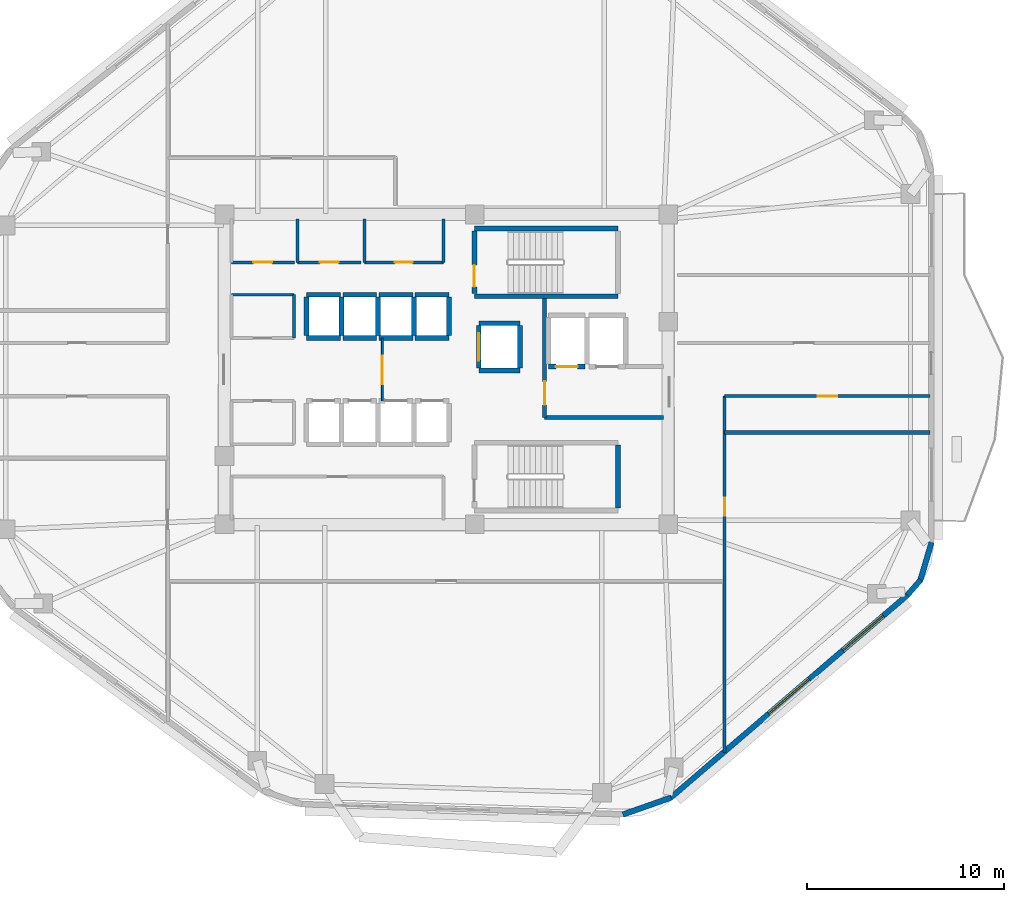
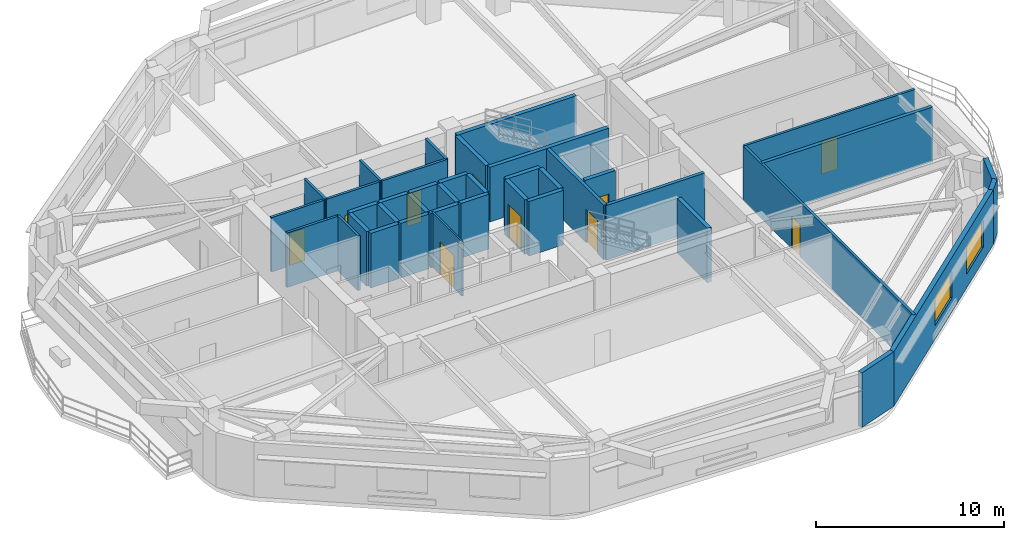
# One storey, part 4 of 8: 40 walls, 10 doors, 2 windows, 12 openings.
"""IFC4 building model written with IfcOpenShell, lengths in metres."""

from ifc_helpers import new_model, si_unit, direction, frame, frame_2d, origin, place, context, subcontext, project, spatial, rectangle, extrude, material, layer, layer_set, type_object, element, fill, save


model = new_model("IFC4")

# Units and contexts
model_context = context("Model", 3, precision=1e-05, world=origin(), true_north=direction((0.0, 1.0)))
body_context = subcontext(model_context, "Body", "Model", "MODEL_VIEW")
ifc_project = project(units=[si_unit("LENGTHUNIT", "METRE"), si_unit("AREAUNIT", "SQUARE_METRE"), si_unit("VOLUMEUNIT", "CUBIC_METRE"), si_unit("PLANEANGLEUNIT", "RADIAN"), si_unit("MASSUNIT", "GRAM", prefix="KILO")], contexts=[model_context])

# Site, building, storey
site_placement = place(None, origin())
site = spatial("IfcSite", under=ifc_project, at=site_placement, CompositionType="ELEMENT")
building_placement = place(site_placement, origin())
building = spatial("IfcBuilding", under=site, at=building_placement, Name="Zulverin Broadcast Headquarters", CompositionType="ELEMENT")
storey_placement = place(building_placement, frame((0.0, 0.0, 174.39990234375)))
storey = spatial("IfcBuildingStorey", under=building, at=storey_placement, Name="L44", CompositionType="ELEMENT", Elevation=174.39990234375)

# Wall
ifc_material_1 = material(Name="Double-stud acoustic drywall", Category="gypsum")
ifc_layer_1 = layer(ifc_material_1, 0.219970703125, Name="Double-stud acoustic drywall", Category="gypsum")
ifc_layer_set_1 = layer_set([ifc_layer_1], Name="Double-stud acoustic drywall")
wall_type_1 = type_object("IfcWallType", Name="WL-ACOU-220", PredefinedType="PARTITIONING", material=ifc_layer_set_1)
wall_1_placement = place(storey_placement, frame((51.14990234375, 22.0, 0.0), z_axis=(0.0, 0.0, 1.0), x_axis=(1.0, 0.0, 0.0)))
element("IfcWall", 1, at=wall_1_placement, inside=storey, type_object=wall_type_1, Name="L44 Room Partition Wall RP-07", PredefinedType="PARTITIONING", context=body_context, shape_type="SweptSolid", body=[
    extrude(rectangle(XDim=10.445068359375, YDim=0.219970703125, at=frame_2d((5.22265625, 0.0))), origin(), (0.0, 0.0, 1.0), 3.5400390625),
])

# Wall, openings, windows
ifc_material_2 = material(Name="Insulated pale-metal clad concrete spandrel C40/50", Category="concrete")
ifc_layer_2 = layer(ifc_material_2, 0.280029296875, Name="Insulated pale-metal clad concrete spandrel C40/50", Category="concrete")
ifc_layer_set_2 = layer_set([ifc_layer_2], Name="Insulated pale-metal clad concrete spandrel C40/50")
wall_type_2 = type_object("IfcWallType", Name="WL-EXT-280", PredefinedType="STANDARD", material=ifc_layer_set_2)
wall_2_placement = place(storey_placement, frame((48.38525390625, 3.413818359375, 0.0), z_axis=(0.0, 0.0, 1.0), x_axis=(0.759700260779, 0.650273414628, 0.0)))
wall_2 = element("IfcWall", 2, at=wall_2_placement, inside=storey, type_object=wall_type_2, Name="L44 Pale-Metal Clad Spandrel Wall 2", PredefinedType="STANDARD", context=body_context, shape_type="SweptSolid", body=[
    extrude(rectangle(XDim=15.880859375, YDim=0.280029296875, at=frame_2d((7.9404296875, 0.0))), origin(), (0.0, 0.0, 1.0), 3.5400390625),
])
opening_1_placement = place(wall_2_placement, frame((6.59033203125, 0.0, 0.89990234375)))
opening_1 = element("IfcOpeningElement", 3, at=opening_1_placement, cuts=wall_2, Name="Opening W-L44-E21", PredefinedType="OPENING", context=body_context, shape_type="SweptSolid", body=[
    extrude(rectangle(XDim=2.699951171875, YDim=1.75, at=frame_2d((1.35009765625, 0.875))), frame((0.0, 0.14990234375, 0.0), z_axis=(0.0, -1.0, 0.0), x_axis=(1.0, 0.0, 0.0)), (0.0, 0.0, 1.0), 0.300048828125),
])
opening_2_placement = place(wall_2_placement, frame((11.55078125, 0.0, 0.89990234375)))
opening_2 = element("IfcOpeningElement", 4, at=opening_2_placement, cuts=wall_2, Name="Opening W-L44-E22", PredefinedType="OPENING", context=body_context, shape_type="SweptSolid", body=[
    extrude(rectangle(XDim=2.699951171875, YDim=1.75, at=frame_2d((1.35009765625, 0.875))), frame((0.0, 0.14990234375, 0.0), z_axis=(0.0, -1.0, 0.0), x_axis=(1.0, 0.0, 0.0)), (0.0, 0.0, 1.0), 0.300048828125),
])
ifc_material_3 = material(Name="Pale anodized aluminium frame with solar-control low-E double glazing", Category="aluminium")
window_type = type_object("IfcWindowType", Name="WIN-TWR-2700", PartitioningType="SINGLE_PANEL", PredefinedType="WINDOW", material=ifc_material_3)
window_1_placement = place(opening_1_placement, origin())
window_1 = element("IfcWindow", 5, at=window_1_placement, inside=storey, type_object=window_type, Name="L44 Ribbon Glazing Window 2 1", OverallHeight=1.75, OverallWidth=2.699951171875, PartitioningType="SINGLE_PANEL", PredefinedType="WINDOW", context=body_context, shape_type="SweptSolid", body=[
    extrude(rectangle(XDim=2.699951171875, YDim=1.75, at=frame_2d((1.35009765625, 0.875))), frame((0.0, 0.030029296875, 0.0), z_axis=(0.0, -1.0, 0.0), x_axis=(1.0, 0.0, 0.0)), (0.0, 0.0, 1.0), 0.06005859375),
])
fill(opening_1, window_1)
window_2_placement = place(opening_2_placement, origin())
window_2 = element("IfcWindow", 6, at=window_2_placement, inside=storey, type_object=window_type, Name="L44 Ribbon Glazing Window 2 2", OverallHeight=1.75, OverallWidth=2.699951171875, PartitioningType="SINGLE_PANEL", PredefinedType="WINDOW", context=body_context, shape_type="SweptSolid", body=[
    extrude(rectangle(XDim=2.699951171875, YDim=1.75, at=frame_2d((1.35009765625, 0.875))), frame((0.0, 0.030029296875, 0.0), z_axis=(0.0, -1.0, 0.0), x_axis=(1.0, 0.0, 0.0)), (0.0, 0.0, 1.0), 0.06005859375),
])
fill(opening_2, window_2)

# Walls
wall_3_placement = place(storey_placement, frame((45.974609375, 2.576416015625, 0.0), z_axis=(0.0, 0.0, 1.0), x_axis=(0.943377643365, 0.331720698781, 0.0)))
element("IfcWall", 7, at=wall_3_placement, inside=storey, type_object=wall_type_2, Name="L44 Wind-Shaped Corner Spandrel Wall 1-1", PredefinedType="STANDARD", context=body_context, shape_type="SweptSolid", body=[
    extrude(rectangle(XDim=2.6025390625, YDim=0.280029296875, at=frame_2d((1.30126953125, 0.0))), origin(), (0.0, 0.0, 1.0), 3.5400390625),
])
wall_4_placement = place(storey_placement, frame((60.435791015625, 13.7265625, 0.0), z_axis=(0.0, 0.0, 1.0), x_axis=(0.658571618609, 0.752518055041, 0.0)))
element("IfcWall", 8, at=wall_4_placement, inside=storey, type_object=wall_type_2, Name="L44 Wind-Shaped Corner Spandrel Wall 2-1", PredefinedType="STANDARD", context=body_context, shape_type="SweptSolid", body=[
    extrude(rectangle(XDim=1.03173828125, YDim=0.280029296875, at=frame_2d((0.515869140625, 0.0))), origin(), (0.0, 0.0, 1.0), 3.5400390625),
])
wall_5_placement = place(storey_placement, frame((61.08642578125, 14.450439453125, 0.0), z_axis=(0.0, 0.0, 1.0), x_axis=(0.283660953453, 0.958924639107, 0.0)))
element("IfcWall", 9, at=wall_5_placement, inside=storey, type_object=wall_type_2, Name="L44 Wind-Shaped Corner Spandrel Wall 2-2", PredefinedType="STANDARD", context=body_context, shape_type="SweptSolid", body=[
    extrude(rectangle(XDim=2.04248046875, YDim=0.280029296875, at=frame_2d((1.021240234375, 0.0))), origin(), (0.0, 0.0, 1.0), 3.5400390625),
])

# Wall, opening, door
ifc_material_4 = material(Name="Concrete C40/50", Category="concrete")
ifc_layer_3 = layer(ifc_material_4, 0.199951171875, Name="Concrete C40/50", Category="concrete")
ifc_layer_set_3 = layer_set([ifc_layer_3], Name="Concrete C40/50")
wall_type_3 = type_object("IfcWallType", Name="WL-FFL-200", PredefinedType="SOLIDWALL", material=ifc_layer_set_3)
wall_6_placement = place(storey_placement, frame((42.0, 22.75, 0.0), z_axis=(0.0, 0.0, 1.0), x_axis=(0.0, 1.0, 0.0)))
wall_6 = element("IfcWall", 10, at=wall_6_placement, inside=storey, type_object=wall_type_3, Name="L44 Firefighting Lift Lobby West Wall", PredefinedType="SOLIDWALL", context=body_context, shape_type="SweptSolid", body=[
    extrude(rectangle(XDim=6.050048828125, YDim=0.199951171875, at=frame_2d((3.02490234375, 0.0))), origin(), (0.0, 0.0, 1.0), 3.5400390625),
])
opening_3_placement = place(wall_6_placement, frame((0.64990234375, 0.0, 0.0)))
opening_3 = element("IfcOpeningElement", 11, at=opening_3_placement, cuts=wall_6, Name="Opening D-L44-FFLW", PredefinedType="OPENING", context=body_context, shape_type="SweptSolid", body=[
    extrude(rectangle(XDim=1.199951171875, YDim=2.14990234375, at=frame_2d((0.60009765625, 1.074951171875))), frame((0.0, 0.10986328125, 0.0), z_axis=(0.0, -1.0, 0.0), x_axis=(1.0, 0.0, 0.0)), (0.0, 0.0, 1.0), 0.219970703125),
])
ifc_material_5 = material(Name="Fire-rated steel leaf and frame", Category="steel")
door_type_1 = type_object("IfcDoorType", Name="DR-FFL-1200", OperationType="SINGLE_SWING_RIGHT", PredefinedType="DOOR", material=ifc_material_5)
door_1_placement = place(opening_3_placement, origin())
door_1 = element("IfcDoor", 12, at=door_1_placement, inside=storey, type_object=door_type_1, Name="L44 Firefighting Lift Lobby Door", OperationType="SINGLE_SWING_RIGHT", OverallHeight=2.14990234375, OverallWidth=1.199951171875, PredefinedType="DOOR", context=body_context, shape_type="SweptSolid", body=[
    extrude(rectangle(XDim=1.199951171875, YDim=2.14990234375, at=frame_2d((0.60009765625, 1.074951171875))), frame((0.0, 0.02490234375, 0.0), z_axis=(0.0, -1.0, 0.0), x_axis=(1.0, 0.0, 0.0)), (0.0, 0.0, 1.0), 0.050048828125),
])
fill(opening_3, door_1)

# Wall
wall_7_placement = place(storey_placement, frame((42.0, 22.75, 0.0), z_axis=(0.0, 0.0, 1.0), x_axis=(1.0, 0.0, 0.0)))
element("IfcWall", 13, at=wall_7_placement, inside=storey, type_object=wall_type_3, Name="L44 Firefighting Lift Lobby South Wall", PredefinedType="SOLIDWALL", context=body_context, shape_type="SweptSolid", body=[
    extrude(rectangle(XDim=6.050048828125, YDim=0.199951171875, at=frame_2d((3.02490234375, 0.0))), origin(), (0.0, 0.0, 1.0), 3.5400390625),
])

# Wall, opening, door
ifc_material_6 = material(Name="Fire-rated acoustic laminated glass screen", Category="glass")
ifc_layer_4 = layer(ifc_material_6, 0.10009765625, Name="Fire-rated acoustic laminated glass screen", Category="glass")
ifc_layer_set_4 = layer_set([ifc_layer_4], Name="Fire-rated acoustic laminated glass screen")
wall_type_4 = type_object("IfcWallType", Name="WL-GLAZ-100", PredefinedType="PARTITIONING", material=ifc_layer_set_4)
wall_8_placement = place(storey_placement, frame((33.75, 23.60009765625, 0.0), z_axis=(0.0, 0.0, 1.0), x_axis=(0.0, 1.0, 0.0)))
wall_8 = element("IfcWall", 14, at=wall_8_placement, inside=storey, type_object=wall_type_4, Name="L44 Core Lobby Acoustic Screen", PredefinedType="PARTITIONING", context=body_context, shape_type="SweptSolid", body=[
    extrude(rectangle(XDim=3.199951171875, YDim=0.10009765625, at=frame_2d((1.60009765625, 0.0))), origin(), (0.0, 0.0, 1.0), 3.5400390625),
])
opening_4_placement = place(wall_8_placement, frame((0.85009765625, 0.0, 0.0)))
opening_4 = element("IfcOpeningElement", 15, at=opening_4_placement, cuts=wall_8, Name="Opening D-L44-CL1", PredefinedType="OPENING", context=body_context, shape_type="SweptSolid", body=[
    extrude(rectangle(XDim=1.449951171875, YDim=2.1201171875, at=frame_2d((0.72509765625, 1.06005859375))), frame((0.0, 0.06005859375, 0.0), z_axis=(0.0, -1.0, 0.0), x_axis=(1.0, 0.0, 0.0)), (0.0, 0.0, 1.0), 0.1201171875),
])
ifc_material_7 = material(Name="Fire-rated acoustic glazed double leaf", Category="glass")
door_type_2 = type_object("IfcDoorType", Name="DR-GLZ-1450", OperationType="DOUBLE_DOOR_SINGLE_SWING", PredefinedType="DOOR", material=ifc_material_7)
door_2_placement = place(opening_4_placement, origin())
door_2 = element("IfcDoor", 16, at=door_2_placement, inside=storey, type_object=door_type_2, Name="L44 Core Lobby Vestibule Door", OperationType="DOUBLE_DOOR_SINGLE_SWING", OverallHeight=2.1201171875, OverallWidth=1.449951171875, PredefinedType="DOOR", context=body_context, shape_type="SweptSolid", body=[
    extrude(rectangle(XDim=1.449951171875, YDim=2.1201171875, at=frame_2d((0.72509765625, 1.06005859375))), frame((0.0, 0.02490234375, 0.0), z_axis=(0.0, -1.0, 0.0), x_axis=(1.0, 0.0, 0.0)), (0.0, 0.0, 1.0), 0.050048828125),
])
fill(opening_4, door_2)

ifc_material_8 = material(Name="Fire-rated gypsum stud partition", Category="gypsum")
ifc_layer_5 = layer(ifc_material_8, 0.14990234375, Name="Fire-rated gypsum stud partition", Category="gypsum")
ifc_layer_set_5 = layer_set([ifc_layer_5], Name="Fire-rated gypsum stud partition")
wall_type_5 = type_object("IfcWallType", Name="WL-PART-150", PredefinedType="PARTITIONING", material=ifc_layer_set_5)
wall_9_placement = place(storey_placement, frame((26.070068359375, 30.64990234375, 0.0), z_axis=(0.0, 0.0, 1.0), x_axis=(1.0, 0.0, 0.0)))
wall_9 = element("IfcWall", 17, at=wall_9_placement, inside=storey, type_object=wall_type_5, Name="L44 Core Accessible WC Front Wall", PredefinedType="PARTITIONING", context=body_context, shape_type="SweptSolid", body=[
    extrude(rectangle(XDim=3.199951171875, YDim=0.14990234375, at=frame_2d((1.60009765625, 0.0))), origin(), (0.0, 0.0, 1.0), 3.5400390625),
])
opening_5_placement = place(wall_9_placement, frame((1.125, 0.0, 0.0)))
opening_5 = element("IfcOpeningElement", 18, at=opening_5_placement, cuts=wall_9, Name="Opening D-L44-NC1", PredefinedType="OPENING", context=body_context, shape_type="SweptSolid", body=[
    extrude(rectangle(XDim=0.949951171875, YDim=2.10009765625, at=frame_2d((0.47509765625, 1.050048828125))), frame((0.0, 0.0849609375, 0.0), z_axis=(0.0, -1.0, 0.0), x_axis=(1.0, 0.0, 0.0)), (0.0, 0.0, 1.0), 0.169921875),
])
ifc_material_9 = material(Name="Fire-rated moisture-resistant laminate leaf", Category="wood")
door_type_3 = type_object("IfcDoorType", Name="DR-WC-950", OperationType="SINGLE_SWING_LEFT", PredefinedType="DOOR", material=ifc_material_9)
door_3_placement = place(opening_5_placement, origin())
door_3 = element("IfcDoor", 19, at=door_3_placement, inside=storey, type_object=door_type_3, Name="L44 Accessible WC Door", OperationType="SINGLE_SWING_LEFT", OverallHeight=2.10009765625, OverallWidth=0.949951171875, PredefinedType="DOOR", context=body_context, shape_type="SweptSolid", body=[
    extrude(rectangle(XDim=0.949951171875, YDim=2.10009765625, at=frame_2d((0.47509765625, 1.050048828125))), frame((0.0, 0.02490234375, 0.0), z_axis=(0.0, -1.0, 0.0), x_axis=(1.0, 0.0, 0.0)), (0.0, 0.0, 1.0), 0.050048828125),
])
fill(opening_5, door_3)

wall_10_placement = place(storey_placement, frame((29.429931640625, 30.64990234375, 0.0), z_axis=(0.0, 0.0, 1.0), x_axis=(1.0, 0.0, 0.0)))
wall_10 = element("IfcWall", 20, at=wall_10_placement, inside=storey, type_object=wall_type_5, Name="L44 Core Male WC Front Wall", PredefinedType="PARTITIONING", context=body_context, shape_type="SweptSolid", body=[
    extrude(rectangle(XDim=3.239990234375, YDim=0.14990234375, at=frame_2d((1.6201171875, 0.0))), origin(), (0.0, 0.0, 1.0), 3.5400390625),
])
opening_6_placement = place(wall_10_placement, frame((1.14501953125, 0.0, 0.0)))
opening_6 = element("IfcOpeningElement", 21, at=opening_6_placement, cuts=wall_10, Name="Opening D-L44-NC2", PredefinedType="OPENING", context=body_context, shape_type="SweptSolid", body=[
    extrude(rectangle(XDim=0.949951171875, YDim=2.10009765625, at=frame_2d((0.47509765625, 1.050048828125))), frame((0.0, 0.0849609375, 0.0), z_axis=(0.0, -1.0, 0.0), x_axis=(1.0, 0.0, 0.0)), (0.0, 0.0, 1.0), 0.169921875),
])
door_4_placement = place(opening_6_placement, origin())
door_4 = element("IfcDoor", 22, at=door_4_placement, inside=storey, type_object=door_type_3, Name="L44 Male WC Door", OperationType="SINGLE_SWING_RIGHT", OverallHeight=2.10009765625, OverallWidth=0.949951171875, PredefinedType="DOOR", context=body_context, shape_type="SweptSolid", body=[
    extrude(rectangle(XDim=0.949951171875, YDim=2.10009765625, at=frame_2d((0.47509765625, 1.050048828125))), frame((0.0, 0.02490234375, 0.0), z_axis=(0.0, -1.0, 0.0), x_axis=(1.0, 0.0, 0.0)), (0.0, 0.0, 1.0), 0.050048828125),
])
fill(opening_6, door_4)

# Wall
wall_11_placement = place(storey_placement, frame((29.429931640625, 30.64990234375, 0.0), z_axis=(0.0, 0.0, 1.0), x_axis=(0.0, 1.0, 0.0)))
element("IfcWall", 23, at=wall_11_placement, inside=storey, type_object=wall_type_5, Name="L44 Core Male WC West Wall", PredefinedType="PARTITIONING", context=body_context, shape_type="SweptSolid", body=[
    extrude(rectangle(XDim=2.2001953125, YDim=0.14990234375, at=frame_2d((1.10009765625, 0.0))), origin(), (0.0, 0.0, 1.0), 3.5400390625),
])

# Wall, opening, door
wall_12_placement = place(storey_placement, frame((32.830078125, 30.64990234375, 0.0), z_axis=(0.0, 0.0, 1.0), x_axis=(1.0, 0.0, 0.0)))
wall_12 = element("IfcWall", 24, at=wall_12_placement, inside=storey, type_object=wall_type_5, Name="L44 Core Electrical Switch Riser Front Wall", PredefinedType="PARTITIONING", context=body_context, shape_type="SweptSolid", body=[
    extrude(rectangle(XDim=4.02001953125, YDim=0.14990234375, at=frame_2d((2.010009765625, 0.0))), origin(), (0.0, 0.0, 1.0), 3.5400390625),
])
opening_7_placement = place(wall_12_placement, frame((1.56005859375, 0.0, 0.0)))
opening_7 = element("IfcOpeningElement", 25, at=opening_7_placement, cuts=wall_12, Name="Opening D-L44-NC3", PredefinedType="OPENING", context=body_context, shape_type="SweptSolid", body=[
    extrude(rectangle(XDim=0.89990234375, YDim=2.10009765625, at=frame_2d((0.449951171875, 1.050048828125))), frame((0.0, 0.0849609375, 0.0), z_axis=(0.0, -1.0, 0.0), x_axis=(1.0, 0.0, 0.0)), (0.0, 0.0, 1.0), 0.169921875),
])
ifc_material_10 = material(Name="Powder-coated steel access leaf", Category="steel")
door_type_4 = type_object("IfcDoorType", Name="DR-RISER-900", OperationType="SINGLE_SWING_LEFT", PredefinedType="DOOR", material=ifc_material_10)
door_5_placement = place(opening_7_placement, origin())
door_5 = element("IfcDoor", 26, at=door_5_placement, inside=storey, type_object=door_type_4, Name="L44 Electrical Switch Riser Door", OperationType="SINGLE_SWING_LEFT", OverallHeight=2.10009765625, OverallWidth=0.89990234375, PredefinedType="DOOR", context=body_context, shape_type="SweptSolid", body=[
    extrude(rectangle(XDim=0.89990234375, YDim=2.10009765625, at=frame_2d((0.449951171875, 1.050048828125))), frame((0.0, 0.02490234375, 0.0), z_axis=(0.0, -1.0, 0.0), x_axis=(1.0, 0.0, 0.0)), (0.0, 0.0, 1.0), 0.050048828125),
])
fill(opening_7, door_5)

# Walls
for number, where, z_axis, x_axis, name in (
    (27, (32.830078125, 30.64990234375, 0.0), (0.0, 0.0, 1.0), (0.0, 1.0, 0.0), "L44 Core Electrical Switch Riser West Wall"),
    (28, (36.85009765625, 30.64990234375, 0.0), (0.0, 0.0, 1.0), (0.0, 1.0, 0.0), "L44 Core Electrical Switch Riser East Wall"),
):
    element("IfcWall", number, at=place(storey_placement, frame(where, z_axis=z_axis, x_axis=x_axis)), inside=storey, type_object=wall_type_5, Name=name, PredefinedType="PARTITIONING", context=body_context, shape_type="SweptSolid", body=[
        extrude(rectangle(XDim=2.2001953125, YDim=0.14990234375, at=frame_2d((1.10009765625, 0.0))), origin(), (0.0, 0.0, 1.0), 3.5400390625),
    ])
wall_13_placement = place(storey_placement, frame((26.070068359375, 29.0, 0.0), z_axis=(0.0, 0.0, 1.0), x_axis=(1.0, 0.0, 0.0)))
element("IfcWall", 29, at=wall_13_placement, inside=storey, type_object=wall_type_5, Name="L44 Core UPS Battery Store N Wall", PredefinedType="PARTITIONING", context=body_context, shape_type="SweptSolid", body=[
    extrude(rectangle(XDim=3.179931640625, YDim=0.14990234375, at=frame_2d((1.58984375, 0.0))), origin(), (0.0, 0.0, 1.0), 3.5400390625),
])
wall_14_placement = place(storey_placement, frame((29.25, 26.800048828125, 0.0), z_axis=(0.0, 0.0, 1.0), x_axis=(0.0, 1.0, 0.0)))
element("IfcWall", 30, at=wall_14_placement, inside=storey, type_object=wall_type_5, Name="L44 Core UPS Battery Store E Wall", PredefinedType="PARTITIONING", context=body_context, shape_type="SweptSolid", body=[
    extrude(rectangle(XDim=2.199951171875, YDim=0.14990234375, at=frame_2d((1.10009765625, 0.0))), origin(), (0.0, 0.0, 1.0), 3.5400390625),
])

# Wall, opening, door
wall_15_placement = place(storey_placement, frame((51.14990234375, 5.736083984375, 0.0), z_axis=(0.0, 0.0, 1.0), x_axis=(0.0, 1.0, 0.0)))
wall_15 = element("IfcWall", 31, at=wall_15_placement, inside=storey, type_object=wall_type_5, Name="L44 Gallery Partition Wall CG-01", PredefinedType="PARTITIONING", context=body_context, shape_type="SweptSolid", body=[
    extrude(rectangle(XDim=18.114013671875, YDim=0.14990234375, at=frame_2d((9.05712890625, 0.0))), origin(), (0.0, 0.0, 1.0), 3.5400390625),
])
opening_8_placement = place(wall_15_placement, frame((12.038818359375, 0.0, 0.0)))
opening_8 = element("IfcOpeningElement", 32, at=opening_8_placement, cuts=wall_15, Name="Opening D-L44-07", PredefinedType="OPENING", context=body_context, shape_type="SweptSolid", body=[
    extrude(rectangle(XDim=0.89990234375, YDim=2.10009765625, at=frame_2d((0.449951171875, 1.050048828125))), frame((0.0, 0.0849609375, 0.0), z_axis=(0.0, -1.0, 0.0), x_axis=(1.0, 0.0, 0.0)), (0.0, 0.0, 1.0), 0.169921875),
])
ifc_material_11 = material(Name="Fire-rated hardwood veneer timber leaf", Category="wood")
door_type_5 = type_object("IfcDoorType", Name="DR-ROOM-900", OperationType="SINGLE_SWING_RIGHT", PredefinedType="DOOR", material=ifc_material_11)
door_6_placement = place(opening_8_placement, origin())
door_6 = element("IfcDoor", 33, at=door_6_placement, inside=storey, type_object=door_type_5, Name="L44 Visitor Reception Door", OperationType="SINGLE_SWING_RIGHT", OverallHeight=2.10009765625, OverallWidth=0.89990234375, PredefinedType="DOOR", context=body_context, shape_type="SweptSolid", body=[
    extrude(rectangle(XDim=0.89990234375, YDim=2.10009765625, at=frame_2d((0.449951171875, 1.050048828125))), frame((0.0, 0.02490234375, 0.0), z_axis=(0.0, -1.0, 0.0), x_axis=(1.0, 0.0, 0.0)), (0.0, 0.0, 1.0), 0.050048828125),
])
fill(opening_8, door_6)

wall_16_placement = place(storey_placement, frame((51.14990234375, 23.85009765625, 0.0), z_axis=(0.0, 0.0, 1.0), x_axis=(1.0, 0.0, 0.0)))
wall_16 = element("IfcWall", 34, at=wall_16_placement, inside=storey, type_object=wall_type_5, Name="L44 Gallery Partition Wall CG-09", PredefinedType="PARTITIONING", context=body_context, shape_type="SweptSolid", body=[
    extrude(rectangle(XDim=10.445068359375, YDim=0.14990234375, at=frame_2d((5.22265625, 0.0))), origin(), (0.0, 0.0, 1.0), 3.5400390625),
])
opening_9_placement = place(wall_16_placement, frame((4.722412109375, 0.0, 0.0)))
opening_9 = element("IfcOpeningElement", 35, at=opening_9_placement, cuts=wall_16, Name="Opening D-L44-08", PredefinedType="OPENING", context=body_context, shape_type="SweptSolid", body=[
    extrude(rectangle(XDim=1.0, YDim=2.1201171875, at=frame_2d((0.5, 1.06005859375))), frame((0.0, 0.0849609375, 0.0), z_axis=(0.0, -1.0, 0.0), x_axis=(1.0, 0.0, 0.0)), (0.0, 0.0, 1.0), 0.169921875),
])
ifc_material_12 = material(Name="Hardwood veneer acoustic leaf", Category="wood")
door_type_6 = type_object("IfcDoorType", Name="DR-OFF-1000", OperationType="SINGLE_SWING_LEFT", PredefinedType="DOOR", material=ifc_material_12)
door_7_placement = place(opening_9_placement, origin())
door_7 = element("IfcDoor", 36, at=door_7_placement, inside=storey, type_object=door_type_6, Name="L44 Current Affairs Open Workplace Door", OperationType="SINGLE_SWING_LEFT", OverallHeight=2.1201171875, OverallWidth=1.0, PredefinedType="DOOR", context=body_context, shape_type="SweptSolid", body=[
    extrude(rectangle(XDim=1.0, YDim=2.1201171875, at=frame_2d((0.5, 1.06005859375))), frame((0.0, 0.02490234375, 0.0), z_axis=(0.0, -1.0, 0.0), x_axis=(1.0, 0.0, 0.0)), (0.0, 0.0, 1.0), 0.050048828125),
])
fill(opening_9, door_7)

# Walls
ifc_material_13 = material(Name="Concrete C50/60", Category="concrete")
ifc_layer_6 = layer(ifc_material_13, 0.25, Name="Concrete C50/60", Category="concrete")
ifc_layer_set_6 = layer_set([ifc_layer_6], Name="Concrete C50/60")
wall_type_6 = type_object("IfcWallType", Name="WL-SHAFT-250", PredefinedType="SHEAR", material=ifc_layer_set_6)
for number, where, z_axis, x_axis, name in (
    (37, (38.425048828125, 28.925048828125, 0.0), (0.0, 0.0, 1.0), (1.0, 0.0, 0.0), "L44 ST-1 Enclosure Wall S"),
    (38, (38.425048828125, 32.375, 0.0), (0.0, 0.0, 1.0), (1.0, 0.0, 0.0), "L44 ST-1 Enclosure Wall N"),
):
    element("IfcWall", number, at=place(storey_placement, frame(where, z_axis=z_axis, x_axis=x_axis)), inside=storey, type_object=wall_type_6, Name=name, PredefinedType="SHEAR", context=body_context, shape_type="SweptSolid", body=[
        extrude(rectangle(XDim=7.300048828125, YDim=0.25, at=frame_2d((3.64990234375, 0.0))), origin(), (0.0, 0.0, 1.0), 3.5400390625),
    ])

# Wall, opening, door
wall_17_placement = place(storey_placement, frame((38.425048828125, 29.050048828125, 0.0), z_axis=(0.0, 0.0, 1.0), x_axis=(0.0, 1.0, 0.0)))
wall_17 = element("IfcWall", 39, at=wall_17_placement, inside=storey, type_object=wall_type_6, Name="L44 ST-1 Enclosure Wall W", PredefinedType="SHEAR", context=body_context, shape_type="SweptSolid", body=[
    extrude(rectangle(XDim=3.199951171875, YDim=0.25, at=frame_2d((1.60009765625, 0.0))), origin(), (0.0, 0.0, 1.0), 3.5400390625),
])
opening_10_placement = place(wall_17_placement, frame((0.35009765625, 0.0, 0.0)))
opening_10 = element("IfcOpeningElement", 40, at=opening_10_placement, cuts=wall_17, Name="Opening D-L44-ST-1", PredefinedType="OPENING", context=body_context, shape_type="SweptSolid", body=[
    extrude(rectangle(XDim=1.10009765625, YDim=2.14990234375, at=frame_2d((0.550048828125, 1.074951171875))), frame((0.0, 0.135009765625, 0.0), z_axis=(0.0, -1.0, 0.0), x_axis=(1.0, 0.0, 0.0)), (0.0, 0.0, 1.0), 0.27001953125),
])
door_type_7 = type_object("IfcDoorType", Name="DR-STAIR-1100", OperationType="SINGLE_SWING_LEFT", PredefinedType="DOOR", material=ifc_material_5)
door_8_placement = place(opening_10_placement, origin())
door_8 = element("IfcDoor", 41, at=door_8_placement, inside=storey, type_object=door_type_7, Name="L44 Exit Stair ST-1 Fire Door", OperationType="SINGLE_SWING_LEFT", OverallHeight=2.14990234375, OverallWidth=1.10009765625, PredefinedType="DOOR", context=body_context, shape_type="SweptSolid", body=[
    extrude(rectangle(XDim=1.10009765625, YDim=2.14990234375, at=frame_2d((0.550048828125, 1.074951171875))), frame((0.0, 0.02490234375, 0.0), z_axis=(0.0, -1.0, 0.0), x_axis=(1.0, 0.0, 0.0)), (0.0, 0.0, 1.0), 0.050048828125),
])
fill(opening_10, door_8)

# Walls
wall_18_placement = place(storey_placement, frame((45.72509765625, 18.14990234375, 0.0), z_axis=(0.0, 0.0, 1.0), x_axis=(0.0, 1.0, 0.0)))
element("IfcWall", 42, at=wall_18_placement, inside=storey, type_object=wall_type_6, Name="L44 ST-2 Enclosure Wall E", PredefinedType="SHEAR", context=body_context, shape_type="SweptSolid", body=[
    extrude(rectangle(XDim=3.2001953125, YDim=0.25, at=frame_2d((1.60009765625, 0.0))), origin(), (0.0, 0.0, 1.0), 3.5400390625),
])
for number, where, z_axis, x_axis, name in (
    (43, (29.89990234375, 26.800048828125, 0.0), (0.0, 0.0, 1.0), (1.0, 0.0, 0.0), "L44 Lift PL-H1 Shaft Wall S"),
    (44, (29.89990234375, 29.0, 0.0), (0.0, 0.0, 1.0), (1.0, 0.0, 0.0), "L44 Lift PL-H1 Shaft Wall N"),
):
    element("IfcWall", number, at=place(storey_placement, frame(where, z_axis=z_axis, x_axis=x_axis)), inside=storey, type_object=wall_type_6, Name=name, PredefinedType="SHEAR", context=body_context, shape_type="SweptSolid", body=[
        extrude(rectangle(XDim=1.72021484375, YDim=0.25, at=frame_2d((0.860107421875, 0.0))), origin(), (0.0, 0.0, 1.0), 3.5400390625),
    ])
for number, where, z_axis, x_axis, name in (
    (45, (29.89990234375, 26.919921875, 0.0), (0.0, 0.0, 1.0), (0.0, 1.0, 0.0), "L44 Lift PL-H1 Shaft Wall W"),
    (46, (31.679931640625, 26.919921875, 0.0), (0.0, 0.0, 1.0), (0.0, 1.0, 0.0), "L44 Lift PL-H1 Shaft Wall E"),
):
    element("IfcWall", number, at=place(storey_placement, frame(where, z_axis=z_axis, x_axis=x_axis)), inside=storey, type_object=wall_type_6, Name=name, PredefinedType="SHEAR", context=body_context, shape_type="SweptSolid", body=[
        extrude(rectangle(XDim=1.9599609375, YDim=0.25, at=frame_2d((0.97998046875, 0.0))), origin(), (0.0, 0.0, 1.0), 3.5400390625),
    ])
for number, where, z_axis, x_axis, name in (
    (47, (31.739990234375, 26.800048828125, 0.0), (0.0, 0.0, 1.0), (1.0, 0.0, 0.0), "L44 Lift PL-H2 Shaft Wall S"),
    (48, (31.739990234375, 29.0, 0.0), (0.0, 0.0, 1.0), (1.0, 0.0, 0.0), "L44 Lift PL-H2 Shaft Wall N"),
):
    element("IfcWall", number, at=place(storey_placement, frame(where, z_axis=z_axis, x_axis=x_axis)), inside=storey, type_object=wall_type_6, Name=name, PredefinedType="SHEAR", context=body_context, shape_type="SweptSolid", body=[
        extrude(rectangle(XDim=1.719970703125, YDim=0.25, at=frame_2d((0.85986328125, 0.0))), origin(), (0.0, 0.0, 1.0), 3.5400390625),
    ])
wall_19_placement = place(storey_placement, frame((33.52001953125, 26.919921875, 0.0), z_axis=(0.0, 0.0, 1.0), x_axis=(0.0, 1.0, 0.0)))
element("IfcWall", 49, at=wall_19_placement, inside=storey, type_object=wall_type_6, Name="L44 Lift PL-H2 Shaft Wall E", PredefinedType="SHEAR", context=body_context, shape_type="SweptSolid", body=[
    extrude(rectangle(XDim=1.9599609375, YDim=0.25, at=frame_2d((0.97998046875, 0.0))), origin(), (0.0, 0.0, 1.0), 3.5400390625),
])
for number, where, z_axis, x_axis, name in (
    (50, (33.580078125, 26.800048828125, 0.0), (0.0, 0.0, 1.0), (1.0, 0.0, 0.0), "L44 Lift PL-H3 Shaft Wall S"),
    (51, (33.580078125, 29.0, 0.0), (0.0, 0.0, 1.0), (1.0, 0.0, 0.0), "L44 Lift PL-H3 Shaft Wall N"),
):
    element("IfcWall", number, at=place(storey_placement, frame(where, z_axis=z_axis, x_axis=x_axis)), inside=storey, type_object=wall_type_6, Name=name, PredefinedType="SHEAR", context=body_context, shape_type="SweptSolid", body=[
        extrude(rectangle(XDim=1.719970703125, YDim=0.25, at=frame_2d((0.85986328125, 0.0))), origin(), (0.0, 0.0, 1.0), 3.5400390625),
    ])
wall_20_placement = place(storey_placement, frame((35.360107421875, 26.919921875, 0.0), z_axis=(0.0, 0.0, 1.0), x_axis=(0.0, 1.0, 0.0)))
element("IfcWall", 52, at=wall_20_placement, inside=storey, type_object=wall_type_6, Name="L44 Lift PL-H3 Shaft Wall E", PredefinedType="SHEAR", context=body_context, shape_type="SweptSolid", body=[
    extrude(rectangle(XDim=1.9599609375, YDim=0.25, at=frame_2d((0.97998046875, 0.0))), origin(), (0.0, 0.0, 1.0), 3.5400390625),
])
for number, where, z_axis, x_axis, name in (
    (53, (35.419921875, 26.800048828125, 0.0), (0.0, 0.0, 1.0), (1.0, 0.0, 0.0), "L44 Lift PL-H4 Shaft Wall S"),
    (54, (35.419921875, 29.0, 0.0), (0.0, 0.0, 1.0), (1.0, 0.0, 0.0), "L44 Lift PL-H4 Shaft Wall N"),
):
    element("IfcWall", number, at=place(storey_placement, frame(where, z_axis=z_axis, x_axis=x_axis)), inside=storey, type_object=wall_type_6, Name=name, PredefinedType="SHEAR", context=body_context, shape_type="SweptSolid", body=[
        extrude(rectangle(XDim=1.719970703125, YDim=0.25, at=frame_2d((0.85986328125, 0.0))), origin(), (0.0, 0.0, 1.0), 3.5400390625),
    ])
wall_21_placement = place(storey_placement, frame((37.139892578125, 26.919921875, 0.0), z_axis=(0.0, 0.0, 1.0), x_axis=(0.0, 1.0, 0.0)))
element("IfcWall", 55, at=wall_21_placement, inside=storey, type_object=wall_type_6, Name="L44 Lift PL-H4 Shaft Wall E", PredefinedType="SHEAR", context=body_context, shape_type="SweptSolid", body=[
    extrude(rectangle(XDim=1.9599609375, YDim=0.25, at=frame_2d((0.97998046875, 0.0))), origin(), (0.0, 0.0, 1.0), 3.5400390625),
])

# Wall, opening, door
wall_22_placement = place(storey_placement, frame((42.199951171875, 25.35009765625, 0.0), z_axis=(0.0, 0.0, 1.0), x_axis=(1.0, 0.0, 0.0)))
wall_22 = element("IfcWall", 56, at=wall_22_placement, inside=storey, type_object=wall_type_6, Name="L44 Lift FFL-1 Shaft Wall S", PredefinedType="SHEAR", context=body_context, shape_type="SweptSolid", body=[
    extrude(rectangle(XDim=1.85009765625, YDim=0.25, at=frame_2d((0.925048828125, 0.0))), origin(), (0.0, 0.0, 1.0), 3.5400390625),
])
opening_11_placement = place(wall_22_placement, frame((0.375, 0.0, 0.0)))
opening_11 = element("IfcOpeningElement", 57, at=opening_11_placement, cuts=wall_22, Name="Opening LD-FFL-1-L44", PredefinedType="OPENING", context=body_context, shape_type="SweptSolid", body=[
    extrude(rectangle(XDim=1.10009765625, YDim=2.14990234375, at=frame_2d((0.550048828125, 1.074951171875))), frame((0.0, 0.135009765625, 0.0), z_axis=(0.0, -1.0, 0.0), x_axis=(1.0, 0.0, 0.0)), (0.0, 0.0, 1.0), 0.27001953125),
])
ifc_material_14 = material(Name="Fire-rated stainless landing door", Category="steel")
door_type_8 = type_object("IfcDoorType", Name="LD-FFL-1100", OperationType="DOUBLE_DOOR_SLIDING", PredefinedType="DOOR", material=ifc_material_14)
door_9_placement = place(opening_11_placement, origin())
door_9 = element("IfcDoor", 58, at=door_9_placement, inside=storey, type_object=door_type_8, Name="L44 Lift FFL-1 Sliding Landing Door", OperationType="DOUBLE_DOOR_SLIDING", OverallHeight=2.14990234375, OverallWidth=1.10009765625, PredefinedType="DOOR", context=body_context, shape_type="SweptSolid", body=[
    extrude(rectangle(XDim=1.10009765625, YDim=2.14990234375, at=frame_2d((0.550048828125, 1.074951171875))), frame((0.0, 0.02490234375, 0.0), z_axis=(0.0, -1.0, 0.0), x_axis=(1.0, 0.0, 0.0)), (0.0, 0.0, 1.0), 0.050048828125),
])
fill(opening_11, door_9)

# Walls
for number, where, z_axis, x_axis, name in (
    (59, (38.64990234375, 25.14990234375, 0.0), (0.0, 0.0, 1.0), (1.0, 0.0, 0.0), "L44 Lift SVL-1 Shaft Wall S"),
    (60, (38.64990234375, 27.550048828125, 0.0), (0.0, 0.0, 1.0), (1.0, 0.0, 0.0), "L44 Lift SVL-1 Shaft Wall N"),
):
    element("IfcWall", number, at=place(storey_placement, frame(where, z_axis=z_axis, x_axis=x_axis)), inside=storey, type_object=wall_type_6, Name=name, PredefinedType="SHEAR", context=body_context, shape_type="SweptSolid", body=[
        extrude(rectangle(XDim=2.10009765625, YDim=0.25, at=frame_2d((1.050048828125, 0.0))), origin(), (0.0, 0.0, 1.0), 3.5400390625),
    ])

# Wall, opening, door
wall_23_placement = place(storey_placement, frame((38.64990234375, 25.27001953125, 0.0), z_axis=(0.0, 0.0, 1.0), x_axis=(0.0, 1.0, 0.0)))
wall_23 = element("IfcWall", 61, at=wall_23_placement, inside=storey, type_object=wall_type_6, Name="L44 Lift SVL-1 Shaft Wall W", PredefinedType="SHEAR", context=body_context, shape_type="SweptSolid", body=[
    extrude(rectangle(XDim=2.159912109375, YDim=0.25, at=frame_2d((1.080078125, 0.0))), origin(), (0.0, 0.0, 1.0), 3.5400390625),
])
opening_12_placement = place(wall_23_placement, frame((0.3798828125, 0.0, 0.0)))
opening_12 = element("IfcOpeningElement", 62, at=opening_12_placement, cuts=wall_23, Name="Opening LD-SVL-1-L44", PredefinedType="OPENING", context=body_context, shape_type="SweptSolid", body=[
    extrude(rectangle(XDim=1.39990234375, YDim=2.199951171875, at=frame_2d((0.699951171875, 1.10009765625))), frame((0.0, 0.135009765625, 0.0), z_axis=(0.0, -1.0, 0.0), x_axis=(1.0, 0.0, 0.0)), (0.0, 0.0, 1.0), 0.27001953125),
])
ifc_material_15 = material(Name="Heavy-duty stainless landing door", Category="steel")
door_type_9 = type_object("IfcDoorType", Name="LD-GOODS-1400", OperationType="DOUBLE_DOOR_SLIDING", PredefinedType="DOOR", material=ifc_material_15)
door_10_placement = place(opening_12_placement, origin())
door_10 = element("IfcDoor", 63, at=door_10_placement, inside=storey, type_object=door_type_9, Name="L44 Lift SVL-1 Sliding Landing Door", OperationType="DOUBLE_DOOR_SLIDING", OverallHeight=2.199951171875, OverallWidth=1.39990234375, PredefinedType="DOOR", context=body_context, shape_type="SweptSolid", body=[
    extrude(rectangle(XDim=1.39990234375, YDim=2.199951171875, at=frame_2d((0.699951171875, 1.10009765625))), frame((0.0, 0.02490234375, 0.0), z_axis=(0.0, -1.0, 0.0), x_axis=(1.0, 0.0, 0.0)), (0.0, 0.0, 1.0), 0.050048828125),
])
fill(opening_12, door_10)

# Wall
wall_24_placement = place(storey_placement, frame((40.75, 25.27001953125, 0.0), z_axis=(0.0, 0.0, 1.0), x_axis=(0.0, 1.0, 0.0)))
element("IfcWall", 64, at=wall_24_placement, inside=storey, type_object=wall_type_6, Name="L44 Lift SVL-1 Shaft Wall E", PredefinedType="SHEAR", context=body_context, shape_type="SweptSolid", body=[
    extrude(rectangle(XDim=2.159912109375, YDim=0.25, at=frame_2d((1.080078125, 0.0))), origin(), (0.0, 0.0, 1.0), 3.5400390625),
])

save(model, "model.ifc")
